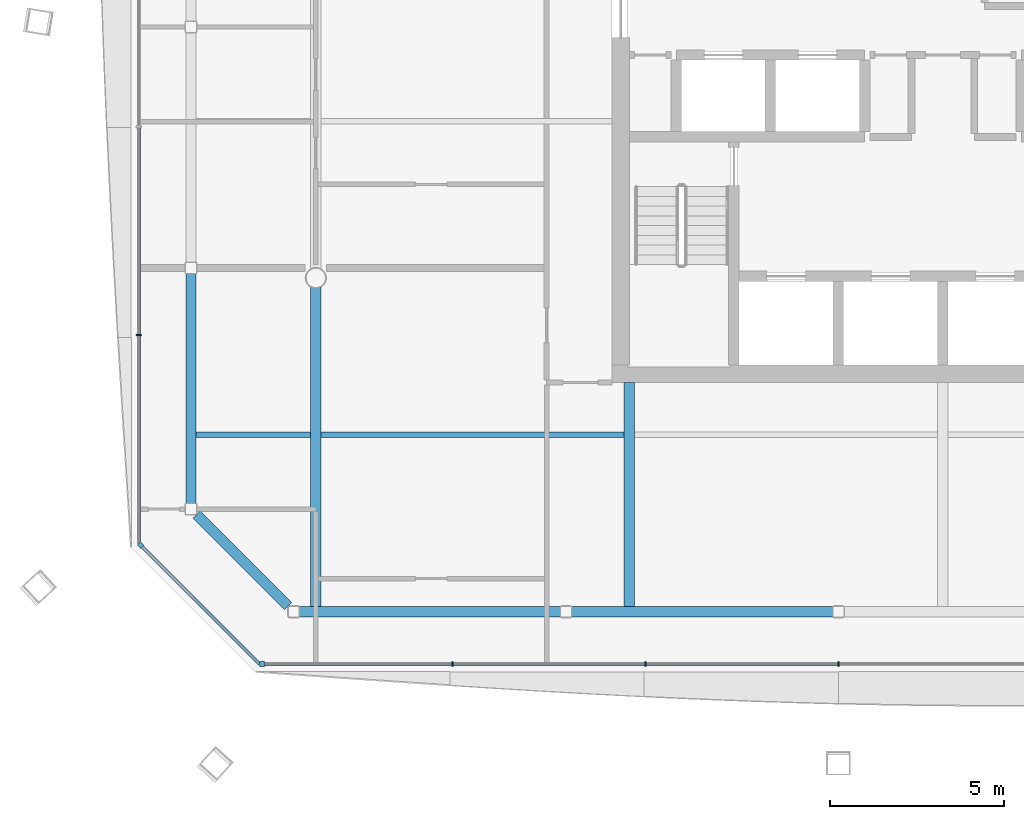
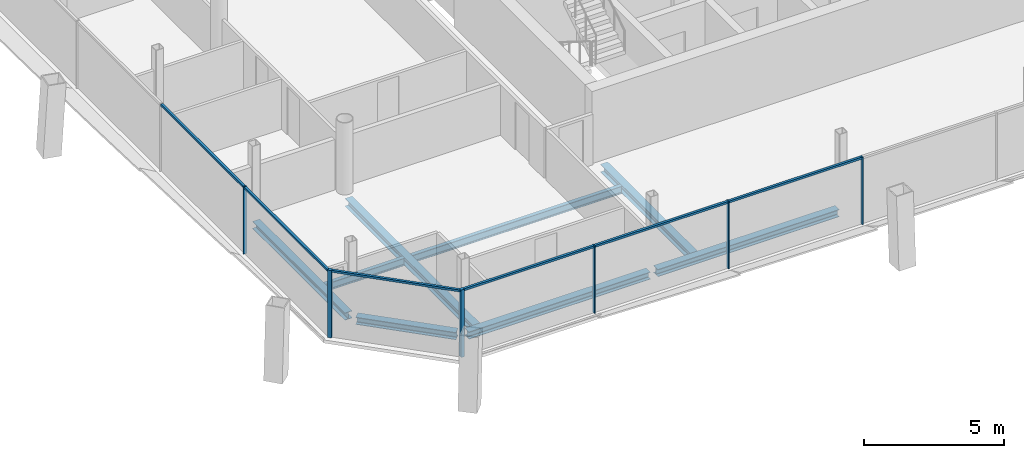
# One storey, part 4 of 20: 12 members, 8 beams, 3 elements without a shape of their own.
"""IFC4 building model written with IfcOpenShell, lengths in metres."""

from ifc_helpers import new_model, si_unit, direction, frame, origin, origin_2d, place, context, subcontext, project, spatial, rectangle, i_section, extrude, material, material_profile, profile_set, type_object, element, aggregate, save


model = new_model("IFC4")

# Units and contexts
model_context = context("Model", 3, precision=1e-05, world=origin(), true_north=direction((0.0, 1.0)))
body_context = subcontext(model_context, "Body", "Model", "MODEL_VIEW")
ifc_project = project(units=[si_unit("LENGTHUNIT", "METRE"), si_unit("AREAUNIT", "SQUARE_METRE"), si_unit("VOLUMEUNIT", "CUBIC_METRE"), si_unit("PLANEANGLEUNIT", "RADIAN"), si_unit("MASSUNIT", "GRAM", prefix="KILO")], contexts=[model_context])

# Site, building, storey
site_placement = place(None, origin())
site = spatial("IfcSite", under=ifc_project, at=site_placement, CompositionType="ELEMENT")
building_placement = place(site_placement, origin())
building = spatial("IfcBuilding", under=site, at=building_placement, Name="Tskaro Facet Tower", CompositionType="ELEMENT")
storey_placement = place(building_placement, frame((0.0, 0.0, 194.25)))
storey = spatial("IfcBuildingStorey", under=building, at=storey_placement, Name="L49", CompositionType="ELEMENT", Elevation=194.25)

# Curtain wall, member
ifc_material_1 = material(Name="Bronze anodised aluminium 6063-T6", Category="aluminium")
curtain_wall_type = type_object("IfcCurtainWallType", Name="Bronze residence curtain wall (FW3)", PredefinedType="NOTDEFINED", material=ifc_material_1)
curtain_wall_1_placement = place(storey_placement, origin())
curtain_wall_1 = element("IfcCurtainWall", 1, at=curtain_wall_1_placement, inside=storey, type_object=curtain_wall_type, Name="FW3 south facet L49", PredefinedType="NOTDEFINED")
ifc_material_profile_1 = material_profile(ifc_material_1, rectangle(XDim=0.139892578125, YDim=0.139892578125, at=origin_2d()), Name="Corner post 140x140")
ifc_profile_set_1 = profile_set([ifc_material_profile_1], Name="Bronze anodised aluminium 6063-T6")
member_type_1 = type_object("IfcMemberType", Name="FW3 bronze corner post 140x140", PredefinedType="MULLION", material=ifc_profile_set_1)
member_1_placement = place(storey_placement, frame((-19.548095703125, -20.080078125, 0.0), z_axis=(0.0, 0.0, 1.0), x_axis=(1.0, 0.0, 0.0)))
member_1 = element("IfcMember", 2, at=member_1_placement, type_object=member_type_1, Name="FW3 south corner post", PredefinedType="MULLION", context=body_context, shape_type="SweptSolid", body=[
    extrude(rectangle(XDim=0.139892578125, YDim=0.139892578125, at=origin_2d()), origin(), (0.0, 0.0, 1.0), 2.949951171875),
])

curtain_wall_2_placement = place(storey_placement, origin())
curtain_wall_2 = element("IfcCurtainWall", 3, at=curtain_wall_2_placement, inside=storey, type_object=curtain_wall_type, Name="FW3 south-west facet L49", PredefinedType="NOTDEFINED")
member_2_placement = place(storey_placement, frame((-23.030517578125, -16.66748046875, 0.0), z_axis=(0.0, 0.0, 1.0), x_axis=(0.707106781187, -0.707106781187, 0.0)))
member_2 = element("IfcMember", 4, at=member_2_placement, type_object=member_type_1, Name="FW3 south-west corner post", PredefinedType="MULLION", context=body_context, shape_type="SweptSolid", body=[
    extrude(rectangle(XDim=0.139892578125, YDim=0.139892578125, at=origin_2d()), origin(), (0.0, 0.0, 1.0), 2.949951171875),
])

# Member
ifc_material_profile_2 = material_profile(ifc_material_1, rectangle(XDim=0.050048828125, YDim=0.139892578125, at=origin_2d()), Name="Mullion 50x140")
ifc_profile_set_2 = profile_set([ifc_material_profile_2], Name="Bronze anodised aluminium 6063-T6")
member_type_2 = type_object("IfcMemberType", Name="FW3 bronze mullion 50x140", PredefinedType="MULLION", material=ifc_profile_set_2)
member_3_placement = place(storey_placement, frame((-14.07861328125, -20.080078125, 0.0), z_axis=(0.0, 0.0, 1.0), x_axis=(1.0, 0.0, 0.0)))
member_3 = element("IfcMember", 5, at=member_3_placement, type_object=member_type_2, Name="FW3 south mullion 1", PredefinedType="MULLION", context=body_context, shape_type="SweptSolid", body=[
    extrude(rectangle(XDim=0.050048828125, YDim=0.139892578125, at=origin_2d()), origin(), (0.0, 0.0, 1.0), 2.949951171875),
])

member_4_placement = place(storey_placement, frame((-8.539306640625, -20.080078125, 0.0), z_axis=(0.0, 0.0, 1.0), x_axis=(1.0, 0.0, 0.0)))
member_4 = element("IfcMember", 6, at=member_4_placement, type_object=member_type_2, Name="FW3 south mullion 2", PredefinedType="MULLION", context=body_context, shape_type="SweptSolid", body=[
    extrude(rectangle(XDim=0.050048828125, YDim=0.139892578125, at=origin_2d()), origin(), (0.0, 0.0, 1.0), 2.949951171875),
])

member_5_placement = place(storey_placement, frame((-3.0, -20.080078125, 0.0), z_axis=(0.0, 0.0, 1.0), x_axis=(1.0, 0.0, 0.0)))
member_5 = element("IfcMember", 7, at=member_5_placement, type_object=member_type_2, Name="FW3 south mullion 3", PredefinedType="MULLION", context=body_context, shape_type="SweptSolid", body=[
    extrude(rectangle(XDim=0.050048828125, YDim=0.139892578125, at=origin_2d()), origin(), (0.0, 0.0, 1.0), 2.949951171875),
])

# Curtain wall, member
curtain_wall_3_placement = place(storey_placement, origin())
curtain_wall_3 = element("IfcCurtainWall", 8, at=curtain_wall_3_placement, inside=storey, type_object=curtain_wall_type, Name="FW3 west facet L49", PredefinedType="NOTDEFINED")
member_6_placement = place(storey_placement, frame((-23.080078125, -10.640380859375, 0.0), z_axis=(0.0, 0.0, 1.0), x_axis=(0.0, -1.0, 0.0)))
member_6 = element("IfcMember", 9, at=member_6_placement, type_object=member_type_2, Name="FW3 west mullion 4", PredefinedType="MULLION", context=body_context, shape_type="SweptSolid", body=[
    extrude(rectangle(XDim=0.050048828125, YDim=0.139892578125, at=origin_2d()), origin(), (0.0, 0.0, 1.0), 2.949951171875),
])

# Member
ifc_material_profile_3 = material_profile(ifc_material_1, rectangle(XDim=0.10009765625, YDim=0.090087890625, at=origin_2d()), Name="Transom 100x90")
ifc_profile_set_3 = profile_set([ifc_material_profile_3], Name="Bronze anodised aluminium 6063-T6")
member_type_3 = type_object("IfcMemberType", Name="FW3 bronze transom 100x90", PredefinedType="USERDEFINED", material=ifc_profile_set_3)
member_7_placement = place(storey_placement, frame((-19.47802734375, -20.080078125, 2.905029296875), z_axis=(1.0, 0.0, 0.0), x_axis=(0.0, 1.0, 0.0)))
member_7 = element("IfcMember", 10, at=member_7_placement, type_object=member_type_3, Name="FW3 south transom 1.1", ObjectType="TRANSOM", PredefinedType="USERDEFINED", context=body_context, shape_type="SweptSolid", body=[
    extrude(rectangle(XDim=0.10009765625, YDim=0.090087890625, at=origin_2d()), origin(), (0.0, 0.0, 1.0), 5.374267578125),
])

member_8_placement = place(storey_placement, frame((-14.0537109375, -20.080078125, 2.905029296875), z_axis=(1.0, 0.0, 0.0), x_axis=(0.0, 1.0, 0.0)))
member_8 = element("IfcMember", 11, at=member_8_placement, type_object=member_type_3, Name="FW3 south transom 2.1", ObjectType="TRANSOM", PredefinedType="USERDEFINED", context=body_context, shape_type="SweptSolid", body=[
    extrude(rectangle(XDim=0.10009765625, YDim=0.090087890625, at=origin_2d()), origin(), (0.0, 0.0, 1.0), 5.4892578125),
])

member_9_placement = place(storey_placement, frame((-8.514404296875, -20.080078125, 2.905029296875), z_axis=(1.0, 0.0, 0.0), x_axis=(0.0, 1.0, 0.0)))
member_9 = element("IfcMember", 12, at=member_9_placement, type_object=member_type_3, Name="FW3 south transom 3.1", ObjectType="TRANSOM", PredefinedType="USERDEFINED", context=body_context, shape_type="SweptSolid", body=[
    extrude(rectangle(XDim=0.10009765625, YDim=0.090087890625, at=origin_2d()), origin(), (0.0, 0.0, 1.0), 5.489501953125),
])

aggregate(curtain_wall_1, [member_1, member_3, member_4, member_5, member_7, member_8, member_9])

member_10_placement = place(storey_placement, frame((-23.080078125, -4.687744140625, 2.905029296875), z_axis=(0.0, -1.0, 0.0), x_axis=(1.0, 0.0, 0.0)))
member_10 = element("IfcMember", 13, at=member_10_placement, type_object=member_type_3, Name="FW3 west transom 4.1", ObjectType="TRANSOM", PredefinedType="USERDEFINED", context=body_context, shape_type="SweptSolid", body=[
    extrude(rectangle(XDim=0.10009765625, YDim=0.090087890625, at=origin_2d()), origin(), (0.0, 0.0, 1.0), 5.927734375),
])

member_11_placement = place(storey_placement, frame((-23.080078125, -10.665283203125, 2.905029296875), z_axis=(0.0, -1.0, 0.0), x_axis=(1.0, 0.0, 0.0)))
member_11 = element("IfcMember", 14, at=member_11_placement, type_object=member_type_3, Name="FW3 west transom 5.1", ObjectType="TRANSOM", PredefinedType="USERDEFINED", context=body_context, shape_type="SweptSolid", body=[
    extrude(rectangle(XDim=0.10009765625, YDim=0.090087890625, at=origin_2d()), origin(), (0.0, 0.0, 1.0), 5.95263671875),
])

aggregate(curtain_wall_3, [member_6, member_10, member_11])

member_12_placement = place(storey_placement, frame((-22.98095703125, -16.717041015625, 2.905029296875), z_axis=(0.707106781187, -0.707106781187, 0.0), x_axis=(0.707106781187, 0.707106781187, 0.0)))
member_12 = element("IfcMember", 15, at=member_12_placement, type_object=member_type_3, Name="FW3 south-west transom 1.1", ObjectType="TRANSOM", PredefinedType="USERDEFINED", context=body_context, shape_type="SweptSolid", body=[
    extrude(rectangle(XDim=0.10009765625, YDim=0.090087890625, at=origin_2d()), origin(), (0.0, 0.0, 1.0), 4.756103515625),
])

aggregate(curtain_wall_2, [member_2, member_12])

# Beams
ifc_material_2 = material(Name="Steel S355J2", Category="steel")
ifc_material_profile_4 = material_profile(ifc_material_2, i_section(OverallWidth=0.300048828125, OverallDepth=0.320068359375, WebThickness=0.011474609375, FlangeThickness=0.0205078125, FilletRadius=0.027099609375, at=origin_2d()), Name="HE 320 B")
ifc_profile_set_4 = profile_set([ifc_material_profile_4], Name="Steel S355J2")
beam_type_1 = type_object("IfcBeamType", Name="HE 320 B ring beam", PredefinedType="BEAM", material=ifc_profile_set_4)
beam_1_placement = place(storey_placement, frame((-18.47802734375, -18.5830078125, -0.300048828125), z_axis=(1.0, 0.0, 0.0), x_axis=(0.0, 1.0, 0.0)))
element("IfcBeam", 16, at=beam_1_placement, inside=storey, type_object=beam_type_1, Name="HE 320 B EB1-4", PredefinedType="BEAM", context=body_context, shape_type="SweptSolid", body=[
    extrude(i_section(OverallWidth=0.300048828125, OverallDepth=0.320068359375, WebThickness=0.011474609375, FlangeThickness=0.0205078125, FilletRadius=0.027099609375, at=origin_2d()), origin(), (0.0, 0.0, 1.0), 7.507080078125),
])
beam_2_placement = place(storey_placement, frame((-10.660888671875, -18.5830078125, -0.300048828125), z_axis=(1.0, 0.0, 0.0), x_axis=(0.0, 1.0, 0.0)))
element("IfcBeam", 17, at=beam_2_placement, inside=storey, type_object=beam_type_1, Name="HE 320 B EB2-4", PredefinedType="BEAM", context=body_context, shape_type="SweptSolid", body=[
    extrude(i_section(OverallWidth=0.300048828125, OverallDepth=0.320068359375, WebThickness=0.011474609375, FlangeThickness=0.0205078125, FilletRadius=0.027099609375, at=origin_2d()), origin(), (0.0, 0.0, 1.0), 7.505859375),
])
beam_3_placement = place(storey_placement, frame((-21.5830078125, -8.867919921875, -0.300048828125), z_axis=(0.0, -1.0, 0.0), x_axis=(1.0, 0.0, 0.0)))
element("IfcBeam", 18, at=beam_3_placement, inside=storey, type_object=beam_type_1, Name="HE 320 B EB20-4", PredefinedType="BEAM", context=body_context, shape_type="SweptSolid", body=[
    extrude(i_section(OverallWidth=0.300048828125, OverallDepth=0.320068359375, WebThickness=0.011474609375, FlangeThickness=0.0205078125, FilletRadius=0.027099609375, at=origin_2d()), origin(), (0.0, 0.0, 1.0), 6.610107421875),
])
beam_4_placement = place(storey_placement, frame((-21.422119140625, -15.7939453125, -0.300048828125), z_axis=(0.707106781187, -0.707106781187, 0.0), x_axis=(0.707106781187, 0.707106781187, 0.0)))
element("IfcBeam", 19, at=beam_4_placement, inside=storey, type_object=beam_type_1, Name="HE 320 B EB21-4", PredefinedType="BEAM", context=body_context, shape_type="SweptSolid", body=[
    extrude(i_section(OverallWidth=0.300048828125, OverallDepth=0.320068359375, WebThickness=0.011474609375, FlangeThickness=0.0205078125, FilletRadius=0.027099609375, at=origin_2d()), origin(), (0.0, 0.0, 1.0), 3.716796875),
])
ifc_material_profile_5 = material_profile(ifc_material_2, i_section(OverallWidth=0.300048828125, OverallDepth=0.35009765625, WebThickness=0.010009765625, FlangeThickness=0.017578125, FilletRadius=0.027099609375, at=origin_2d()), Name="HE 360 A")
ifc_profile_set_5 = profile_set([ifc_material_profile_5], Name="Steel S355J2")
beam_type_2 = type_object("IfcBeamType", Name="HE 360 A girder", PredefinedType="BEAM", material=ifc_profile_set_5)
beam_5_placement = place(storey_placement, frame((-18.0, -18.43310546875, -0.31494140625), z_axis=(0.0, 1.0, 0.0), x_axis=(-1.0, 0.0, 0.0)))
element("IfcBeam", 20, at=beam_5_placement, inside=storey, type_object=beam_type_2, Name="HE 360 A GB2-1-4", PredefinedType="BEAM", context=body_context, shape_type="SweptSolid", body=[
    extrude(i_section(OverallWidth=0.300048828125, OverallDepth=0.35009765625, WebThickness=0.010009765625, FlangeThickness=0.017578125, FilletRadius=0.027099609375, at=origin_2d()), origin(), (0.0, 0.0, 1.0), 9.158203125),
])
beam_6_placement = place(storey_placement, frame((-9.0, -18.43310546875, -0.31494140625), z_axis=(0.0, 1.0, 0.0), x_axis=(-1.0, 0.0, 0.0)))
element("IfcBeam", 21, at=beam_6_placement, inside=storey, type_object=beam_type_2, Name="HE 360 A GB3-1-4", PredefinedType="BEAM", context=body_context, shape_type="SweptSolid", body=[
    extrude(i_section(OverallWidth=0.300048828125, OverallDepth=0.35009765625, WebThickness=0.010009765625, FlangeThickness=0.017578125, FilletRadius=0.027099609375, at=origin_2d()), origin(), (0.0, 0.0, 1.0), 6.43310546875),
])
ifc_material_profile_6 = material_profile(ifc_material_2, i_section(OverallWidth=0.159912109375, OverallDepth=0.330078125, WebThickness=0.007568359375, FlangeThickness=0.011474609375, FilletRadius=0.01806640625, at=origin_2d()), Name="IPE 330")
ifc_profile_set_6 = profile_set([ifc_material_profile_6], Name="Steel S355J2")
beam_type_3 = type_object("IfcBeamType", Name="IPE 330 secondary beam", PredefinedType="BEAM", material=ifc_profile_set_6)
beam_7_placement = place(storey_placement, frame((-21.43310546875, -13.5, -0.304931640625), z_axis=(1.0, 0.0, 0.0), x_axis=(0.0, 1.0, 0.0)))
element("IfcBeam", 22, at=beam_7_placement, inside=storey, type_object=beam_type_3, Name="IPE 330 SB2a-1-4", PredefinedType="BEAM", context=body_context, shape_type="SweptSolid", body=[
    extrude(i_section(OverallWidth=0.159912109375, OverallDepth=0.330078125, WebThickness=0.007568359375, FlangeThickness=0.011474609375, FilletRadius=0.01806640625, at=origin_2d()), origin(), (0.0, 0.0, 1.0), 3.283203125),
])
beam_8_placement = place(storey_placement, frame((-17.85009765625, -13.5, -0.304931640625), z_axis=(1.0, 0.0, 0.0), x_axis=(0.0, 1.0, 0.0)))
element("IfcBeam", 23, at=beam_8_placement, inside=storey, type_object=beam_type_3, Name="IPE 330 SB2a-2-4", PredefinedType="BEAM", context=body_context, shape_type="SweptSolid", body=[
    extrude(i_section(OverallWidth=0.159912109375, OverallDepth=0.330078125, WebThickness=0.007568359375, FlangeThickness=0.011474609375, FilletRadius=0.01806640625, at=origin_2d()), origin(), (0.0, 0.0, 1.0), 8.7001953125),
])

save(model, "model.ifc")
